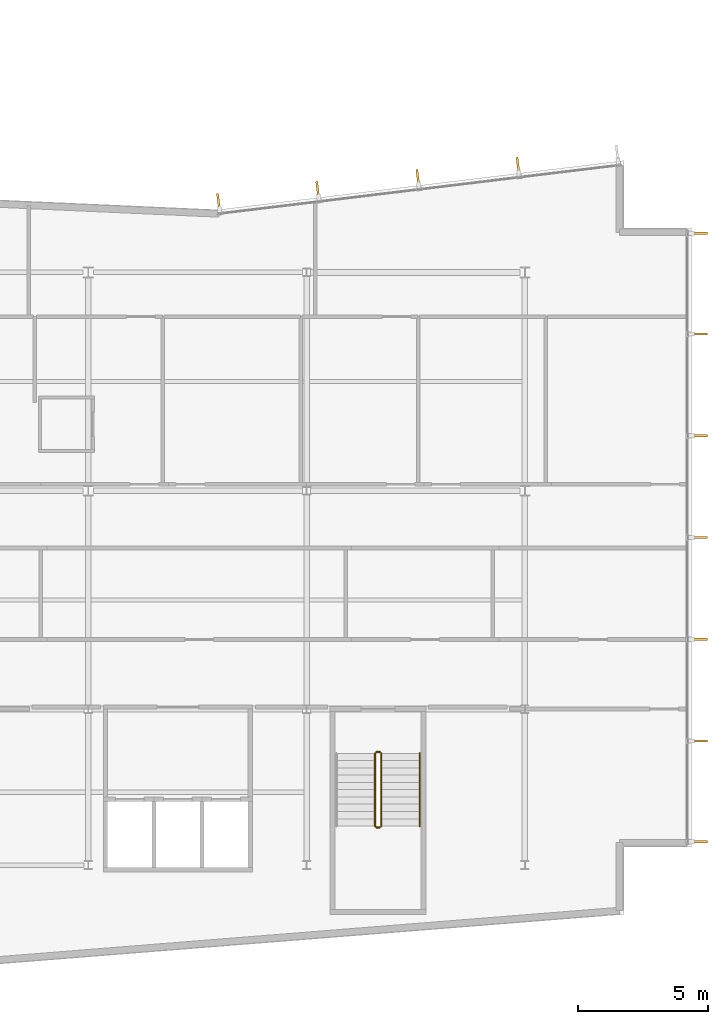
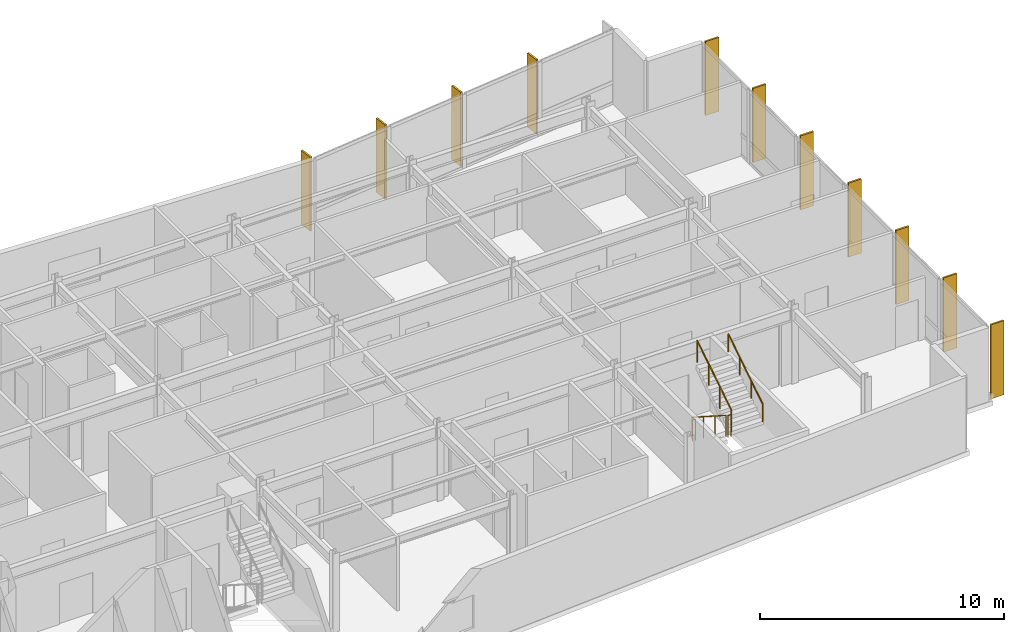
# One storey, part 17 of 19: 11 shading devices, 5 railings.
"""IFC4 building model written with IfcOpenShell, lengths in metres."""

from ifc_helpers import new_model, si_unit, direction, frame, origin, origin_2d, place, context, subcontext, project, spatial, rectangle, circle, extrude, material, layer, layer_set, type_object, element, save


model = new_model("IFC4")

# Units and contexts
model_context = context("Model", 3, precision=1e-05, world=origin(), true_north=direction((0.0, 1.0)))
body_context = subcontext(model_context, "Body", "Model", "MODEL_VIEW")
ifc_project = project(units=[si_unit("LENGTHUNIT", "METRE"), si_unit("AREAUNIT", "SQUARE_METRE"), si_unit("VOLUMEUNIT", "CUBIC_METRE"), si_unit("PLANEANGLEUNIT", "RADIAN"), si_unit("MASSUNIT", "GRAM", prefix="KILO")], contexts=[model_context])

# Site, building, storey
site_placement = place(None, origin())
site = spatial("IfcSite", under=ifc_project, at=site_placement, CompositionType="ELEMENT")
building_placement = place(site_placement, origin())
building = spatial("IfcBuilding", under=site, at=building_placement, Name="Varnakote Quay Hospital", CompositionType="ELEMENT")
storey_placement = place(building_placement, frame((0.0, 0.0, 162.60009765625)))
storey = spatial("IfcBuildingStorey", under=building, at=storey_placement, Name="L40", CompositionType="ELEMENT", Elevation=162.60009765625)

# Railings
ifc_material_1 = material(Name="Brushed stainless steel balustrade", Category="steel")
railing_type_1 = type_object("IfcRailingType", Name="RLG-STAIR-GUARD-1150", PredefinedType="GUARDRAIL", material=ifc_material_1)
railing_1_placement = place(storey_placement, frame((44.6298828125, 10.300048828125, 0.179443359375)))
element("IfcRailing", 1, at=railing_1_placement, inside=storey, type_object=railing_type_1, Name="L40 ST-03 stair guard 1", PredefinedType="GUARDRAIL", context=body_context, shape_type="SweptSolid", body=[
    extrude(circle(Radius=0.02392578125, at=origin_2d()), frame((0.0, 0.0, 1.076171875), z_axis=(0.0, -0.841809871826, 0.539774156196), x_axis=(1.0, 0.0, 0.0)), (0.0, 0.0, 1.0), 3.326171875),
    extrude(circle(Radius=0.02099609375, at=origin_2d()), origin(), (0.0, 0.0, 1.0), 1.052001953125),
    extrude(circle(Radius=0.02099609375, at=origin_2d()), frame((0.0, -0.933349609375, 0.598388671875)), (0.0, 0.0, 1.0), 1.052001953125),
    extrude(circle(Radius=0.02099609375, at=origin_2d()), frame((0.0, -1.86669921875, 1.197021484375)), (0.0, 0.0, 1.0), 1.052001953125),
    extrude(circle(Radius=0.02099609375, at=origin_2d()), frame((0.0, -2.800048828125, 1.79541015625)), (0.0, 0.0, 1.0), 1.052001953125),
])
railing_2_placement = place(storey_placement, frame((44.679931640625, 7.449951171875, 1.974853515625)))
element("IfcRailing", 2, at=railing_2_placement, inside=storey, type_object=railing_type_1, Name="L40 ST-03 stair guard 2", PredefinedType="GUARDRAIL", context=body_context, shape_type="SweptSolid", body=[
    extrude(circle(Radius=0.02392578125, at=origin_2d()), frame((0.0, 0.0, 1.076171875), z_axis=(1.0, 0.0, 0.0), x_axis=(0.0, 1.0, 0.0)), (0.0, 0.0, 1.0), 0.14013671875),
    extrude(circle(Radius=0.02099609375, at=origin_2d()), origin(), (0.0, 0.0, 1.0), 1.052001953125),
    extrude(circle(Radius=0.02099609375, at=origin_2d()), frame((0.14013671875, 0.0, 0.0)), (0.0, 0.0, 1.0), 1.052001953125),
])
railing_3_placement = place(storey_placement, frame((44.8701171875, 7.5, 2.154541015625)))
element("IfcRailing", 3, at=railing_3_placement, inside=storey, type_object=railing_type_1, Name="L40 ST-03 stair guard 3", PredefinedType="GUARDRAIL", context=body_context, shape_type="SweptSolid", body=[
    extrude(circle(Radius=0.02392578125, at=origin_2d()), frame((0.0, 0.0, 1.076171875), z_axis=(0.0, 0.841809871826, 0.539774156196), x_axis=(-1.0, 0.0, 0.0)), (0.0, 0.0, 1.0), 3.326171875),
    extrude(circle(Radius=0.02099609375, at=origin_2d()), origin(), (0.0, 0.0, 1.0), 1.052001953125),
    extrude(circle(Radius=0.02099609375, at=origin_2d()), frame((0.0, 0.933349609375, 0.598388671875)), (0.0, 0.0, 1.0), 1.052001953125),
    extrude(circle(Radius=0.02099609375, at=origin_2d()), frame((0.0, 1.86669921875, 1.197021484375)), (0.0, 0.0, 1.0), 1.052001953125),
    extrude(circle(Radius=0.02099609375, at=origin_2d()), frame((0.0, 2.800048828125, 1.79541015625)), (0.0, 0.0, 1.0), 1.052001953125),
])
railing_4_placement = place(storey_placement, frame((44.679931640625, 10.35009765625, 0.0)))
element("IfcRailing", 4, at=railing_4_placement, inside=storey, type_object=railing_type_1, Name="L40 ST-03 stair guard 4", PredefinedType="GUARDRAIL", context=body_context, shape_type="SweptSolid", body=[
    extrude(circle(Radius=0.02392578125, at=origin_2d()), frame((0.0, 0.0, 1.076171875), z_axis=(1.0, 0.0, 0.0), x_axis=(0.0, 1.0, 0.0)), (0.0, 0.0, 1.0), 0.14013671875),
    extrude(circle(Radius=0.02099609375, at=origin_2d()), origin(), (0.0, 0.0, 1.0), 1.052001953125),
    extrude(circle(Radius=0.02099609375, at=origin_2d()), frame((0.14013671875, 0.0, 0.0)), (0.0, 0.0, 1.0), 1.052001953125),
])
ifc_material_2 = material(Name="Brushed stainless steel handrail", Category="steel")
railing_type_2 = type_object("IfcRailingType", Name="RLG-STAIR-HND-920", PredefinedType="HANDRAIL", material=ifc_material_2)
railing_5_placement = place(storey_placement, frame((46.35009765625, 7.5, 2.154541015625)))
element("IfcRailing", 5, at=railing_5_placement, inside=storey, type_object=railing_type_2, Name="L40 ST-03 stair handrail 2", PredefinedType="HANDRAIL", context=body_context, shape_type="SweptSolid", body=[
    extrude(circle(Radius=0.02392578125, at=origin_2d()), frame((0.0, 0.0, 0.8759765625), z_axis=(0.0, 0.841809871826, 0.539774156196), x_axis=(-1.0, 0.0, 0.0)), (0.0, 0.0, 1.0), 3.326171875),
    extrude(circle(Radius=0.02099609375, at=origin_2d()), origin(), (0.0, 0.0, 1.0), 0.851806640625),
    extrude(circle(Radius=0.02099609375, at=origin_2d()), frame((0.0, 0.933349609375, 0.598388671875)), (0.0, 0.0, 1.0), 0.851806640625),
    extrude(circle(Radius=0.02099609375, at=origin_2d()), frame((0.0, 1.86669921875, 1.197021484375)), (0.0, 0.0, 1.0), 0.851806640625),
    extrude(circle(Radius=0.02099609375, at=origin_2d()), frame((0.0, 2.800048828125, 1.79541015625)), (0.0, 0.0, 1.0), 0.851806640625),
])

# Shading devices
ifc_material_3 = material(Name="Anodised aluminium 6063-T6 Bronze", Category="aluminium")
ifc_layer = layer(ifc_material_3, 0.0849609375)
ifc_layer_set = layer_set([ifc_layer], Name="Anodised aluminium 6063-T6 Bronze")
shading_device_type = type_object("IfcShadingDeviceType", Name="SHD-BRONZE-FIN-620", PredefinedType="USERDEFINED", material=ifc_layer_set)
for number, where, z_axis, x_axis, name in (
    (6, (57.110107421875, 6.8974609375, 0.0), (0.0, 0.0, 1.0), (-1.0, 0.0, 0.0), "L40 Anodised Bronze Vertical Shading FIN"),
    (7, (57.110107421875, 10.773193359375, 0.0), (0.0, 0.0, 1.0), (-1.0, 0.0, 0.0), "L40 Anodised Bronze Vertical Shading FIN"),
    (8, (57.110107421875, 14.686767578125, 0.0), (0.0, 0.0, 1.0), (-1.0, 0.0, 0.0), "L40 Anodised Bronze Vertical Shading FIN"),
    (9, (57.110107421875, 18.60009765625, 0.0), (0.0, 0.0, 1.0), (-1.0, 0.0, 0.0), "L40 Anodised Bronze Vertical Shading FIN"),
    (10, (57.110107421875, 22.51318359375, 0.0), (0.0, 0.0, 1.0), (-1.0, 0.0, 0.0), "L40 Anodised Bronze Vertical Shading FIN"),
    (11, (57.110107421875, 26.4267578125, 0.0), (0.0, 0.0, 1.0), (-1.0, 0.0, 0.0), "L40 Anodised Bronze Vertical Shading FIN"),
    (12, (57.110107421875, 30.302490234375, 0.0), (0.0, 0.0, 1.0), (-1.0, 0.0, 0.0), "L40 Anodised Bronze Vertical Shading FIN"),
    (13, (50.131103515625, 32.9189453125, 0.0), (0.0, 0.0, 1.0), (0.120310105847, -0.992736358975, 0.0), "L40 Anodised Bronze Vertical Shading FIN"),
    (14, (46.278564453125, 32.4521484375, 0.0), (0.0, 0.0, 1.0), (0.120310105847, -0.992736358975, 0.0), "L40 Anodised Bronze Vertical Shading FIN"),
    (15, (42.426025390625, 31.985107421875, 0.0), (0.0, 0.0, 1.0), (0.120310105847, -0.992736358975, 0.0), "L40 Anodised Bronze Vertical Shading FIN"),
    (16, (38.61083984375, 31.522705078125, 0.0), (0.0, 0.0, 1.0), (0.120310105847, -0.992736358975, 0.0), "L40 Anodised Bronze Vertical Shading FIN"),
):
    element("IfcShadingDevice", number, at=place(storey_placement, frame(where, z_axis=z_axis, x_axis=x_axis)), inside=storey, type_object=shading_device_type, Name=name, ObjectType="FIN", PredefinedType="USERDEFINED", context=body_context, shape_type="SweptSolid", body=[
        extrude(rectangle(XDim=0.6201171875, YDim=0.0849609375, at=origin_2d()), origin(), (0.0, 0.0, 1.0), 3.7099609375),
    ])

save(model, "model.ifc")
